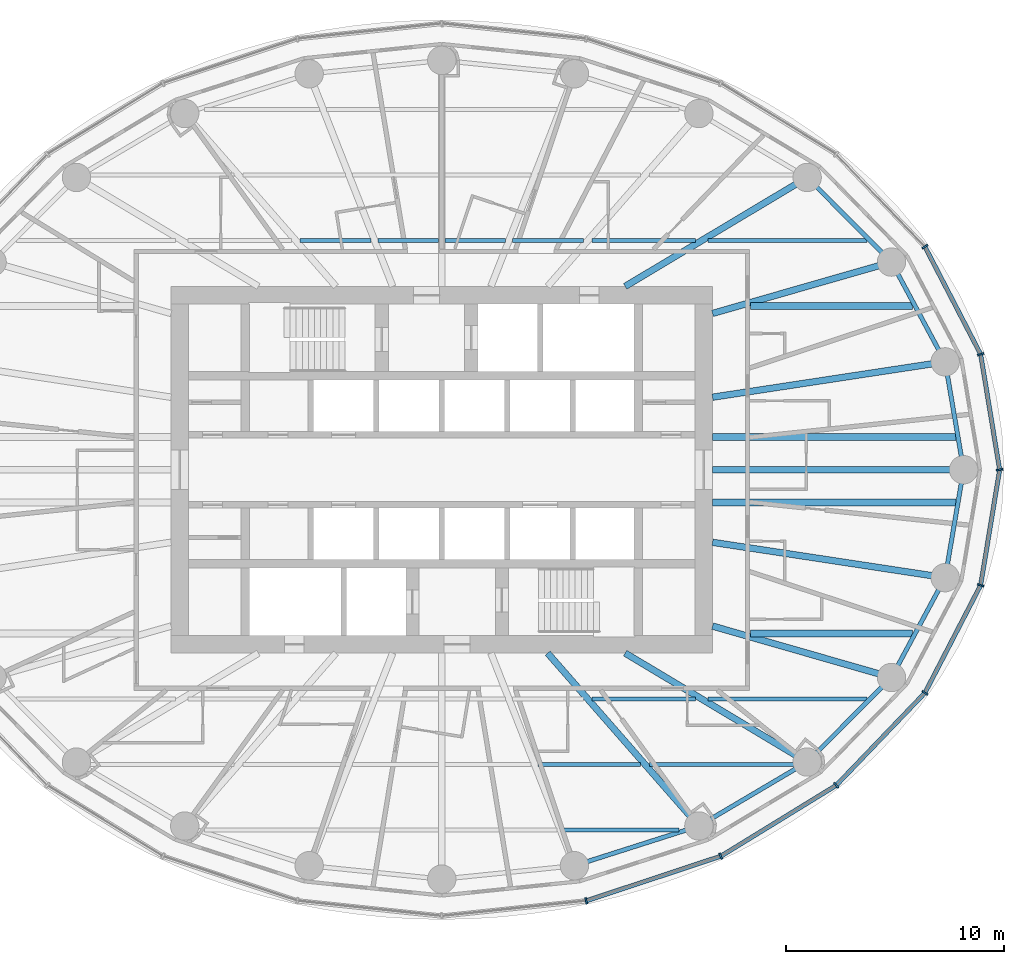
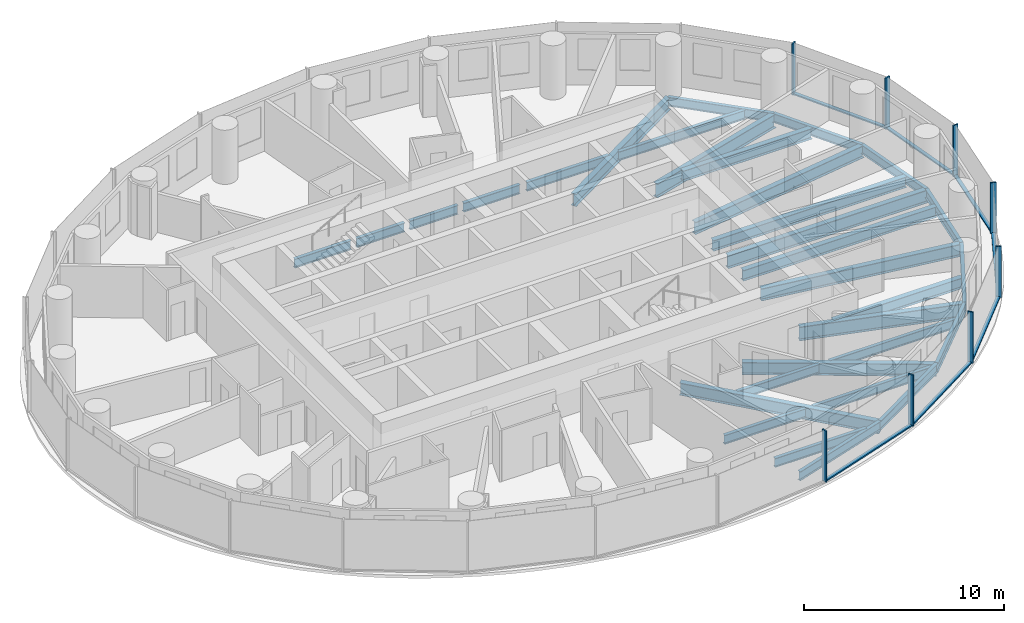
# One storey, part 3 of 13: 31 beams, 15 members, 2 elements without a shape of their own.
"""IFC4 building model written with IfcOpenShell, lengths in metres."""

from ifc_helpers import new_model, si_unit, direction, frame, origin, origin_2d, place, context, subcontext, project, spatial, rectangle, i_section, extrude, material, material_profile, profile_set, type_object, element, aggregate, save


model = new_model("IFC4")

# Units and contexts
model_context = context("Model", 3, precision=1e-05, world=origin(), true_north=direction((0.0, 1.0)))
body_context = subcontext(model_context, "Body", "Model", "MODEL_VIEW")
ifc_project = project(units=[si_unit("LENGTHUNIT", "METRE"), si_unit("AREAUNIT", "SQUARE_METRE"), si_unit("VOLUMEUNIT", "CUBIC_METRE"), si_unit("PLANEANGLEUNIT", "RADIAN"), si_unit("MASSUNIT", "GRAM", prefix="KILO")], contexts=[model_context])

# Site, building, storey
site_placement = place(None, origin())
site = spatial("IfcSite", under=ifc_project, at=site_placement, CompositionType="ELEMENT")
building_placement = place(site_placement, origin())
building = spatial("IfcBuilding", under=site, at=building_placement, Name="Hankou Lantern Tower", CompositionType="ELEMENT")
storey_placement = place(building_placement, frame((0.0, 0.0, 128.699951171875)))
storey = spatial("IfcBuildingStorey", under=building, at=storey_placement, Name="L33", CompositionType="ELEMENT", Elevation=128.699951171875)

# Beams
ifc_material_1 = material(Name="Steel Q355B", Category="steel")
ifc_material_profile_1 = material_profile(ifc_material_1, i_section(OverallWidth=0.199951171875, OverallDepth=0.550048828125, WebThickness=0.010009765625, FlangeThickness=0.01611328125, FilletRadius=0.012939453125, at=origin_2d()), Name="HN550x200x10x16")
ifc_profile_set_1 = profile_set([ifc_material_profile_1], Name="Steel Q355B")
beam_type_1 = type_object("IfcBeamType", Name="EB6 RING BEAM HN550x200x10x16", PredefinedType="SPANDREL", material=ifc_profile_set_1)
beam_1_placement = place(storey_placement, frame((23.89990234375, 0.0, -0.454833984375), z_axis=(-0.168527258545, 0.985696993567, 0.0), x_axis=(-0.985696993567, -0.168527258545, 0.0)))
element("IfcBeam", 1, at=beam_1_placement, inside=storey, type_object=beam_type_1, Name="Ring beam R01-R02 L33", PredefinedType="SPANDREL", context=body_context, shape_type="SweptSolid", body=[
    extrude(i_section(OverallWidth=0.199951171875, OverallDepth=0.550048828125, WebThickness=0.010009765625, FlangeThickness=0.01611328125, FilletRadius=0.012939453125, at=origin_2d()), origin(), (0.0, 0.0, 1.0), 5.013916015625),
])
beam_2_placement = place(storey_placement, frame((23.054931640625, 4.942138671875, -0.454833984375), z_axis=(-0.473824901673, 0.880619079145, 0.0), x_axis=(-0.880619079145, -0.473824901673, 0.0)))
element("IfcBeam", 2, at=beam_2_placement, inside=storey, type_object=beam_type_1, Name="Ring beam R02-R03 L33", PredefinedType="SPANDREL", context=body_context, shape_type="SweptSolid", body=[
    extrude(i_section(OverallWidth=0.199951171875, OverallDepth=0.550048828125, WebThickness=0.010009765625, FlangeThickness=0.01611328125, FilletRadius=0.012939453125, at=origin_2d()), origin(), (0.0, 0.0, 1.0), 5.190185546875),
])
beam_3_placement = place(storey_placement, frame((20.595703125, 9.5126953125, -0.454833984375), z_axis=(-0.705945468625, 0.708266189599, 0.0), x_axis=(-0.708266189599, -0.705945468625, 0.0)))
element("IfcBeam", 3, at=beam_3_placement, inside=storey, type_object=beam_type_1, Name="Ring beam R03-R04 L33", PredefinedType="SPANDREL", context=body_context, shape_type="SweptSolid", body=[
    extrude(i_section(OverallWidth=0.199951171875, OverallDepth=0.550048828125, WebThickness=0.010009765625, FlangeThickness=0.01611328125, FilletRadius=0.012939453125, at=origin_2d()), origin(), (0.0, 0.0, 1.0), 5.470458984375),
])
beam_4_placement = place(storey_placement, frame((6.073974609375, -18.134521484375, -0.454833984375), z_axis=(0.952731090451, 0.303814860215, 0.0), x_axis=(-0.303814860215, 0.952731090451, 0.0)))
element("IfcBeam", 4, at=beam_4_placement, inside=storey, type_object=beam_type_1, Name="Ring beam R20-R21 L33", PredefinedType="SPANDREL", context=body_context, shape_type="SweptSolid", body=[
    extrude(i_section(OverallWidth=0.199951171875, OverallDepth=0.550048828125, WebThickness=0.010009765625, FlangeThickness=0.01611328125, FilletRadius=0.012939453125, at=origin_2d()), origin(), (0.0, 0.0, 1.0), 5.984375),
])
beam_5_placement = place(storey_placement, frame((11.775390625, -16.31640625, -0.454833984375), z_axis=(0.860988974188, 0.508623619513, 0.0), x_axis=(-0.508623619513, 0.860988974188, 0.0)))
element("IfcBeam", 5, at=beam_5_placement, inside=storey, type_object=beam_type_1, Name="Ring beam R21-R22 L33", PredefinedType="SPANDREL", context=body_context, shape_type="SweptSolid", body=[
    extrude(i_section(OverallWidth=0.199951171875, OverallDepth=0.550048828125, WebThickness=0.010009765625, FlangeThickness=0.01611328125, FilletRadius=0.012939453125, at=origin_2d()), origin(), (0.0, 0.0, 1.0), 5.759033203125),
])
beam_6_placement = place(storey_placement, frame((16.73388671875, -13.38720703125, -0.454833984375), z_axis=(0.705945468625, 0.708266189599, 0.0), x_axis=(-0.708266189599, 0.705945468625, 0.0)))
element("IfcBeam", 6, at=beam_6_placement, inside=storey, type_object=beam_type_1, Name="Ring beam R22-R23 L33", PredefinedType="SPANDREL", context=body_context, shape_type="SweptSolid", body=[
    extrude(i_section(OverallWidth=0.199951171875, OverallDepth=0.550048828125, WebThickness=0.010009765625, FlangeThickness=0.01611328125, FilletRadius=0.012939453125, at=origin_2d()), origin(), (0.0, 0.0, 1.0), 5.470458984375),
])
beam_7_placement = place(storey_placement, frame((20.595703125, -9.5126953125, -0.454833984375), z_axis=(0.473824901673, 0.880619079145, 0.0), x_axis=(-0.880619079145, 0.473824901673, 0.0)))
element("IfcBeam", 7, at=beam_7_placement, inside=storey, type_object=beam_type_1, Name="Ring beam R23-R24 L33", PredefinedType="SPANDREL", context=body_context, shape_type="SweptSolid", body=[
    extrude(i_section(OverallWidth=0.199951171875, OverallDepth=0.550048828125, WebThickness=0.010009765625, FlangeThickness=0.01611328125, FilletRadius=0.012939453125, at=origin_2d()), origin(), (0.0, 0.0, 1.0), 5.190185546875),
])
beam_8_placement = place(storey_placement, frame((23.054931640625, -4.942138671875, -0.454833984375), z_axis=(0.168527258545, 0.985696993567, 0.0), x_axis=(-0.985696993567, 0.168527258545, 0.0)))
element("IfcBeam", 8, at=beam_8_placement, inside=storey, type_object=beam_type_1, Name="Ring beam R24-R01 L33", PredefinedType="SPANDREL", context=body_context, shape_type="SweptSolid", body=[
    extrude(i_section(OverallWidth=0.199951171875, OverallDepth=0.550048828125, WebThickness=0.010009765625, FlangeThickness=0.01611328125, FilletRadius=0.012939453125, at=origin_2d()), origin(), (0.0, 0.0, 1.0), 5.013916015625),
])

# Curtain wall, members
ifc_material_2 = material(Name="Glass, dark grey tinted laminated", Category="glass")
curtain_wall_type = type_object("IfcCurtainWallType", Name="CWB OUTER SKIN MID-RISE", PredefinedType="USERDEFINED", material=ifc_material_2)
curtain_wall_1_placement = place(storey_placement, origin())
curtain_wall_1 = element("IfcCurtainWall", 9, at=curtain_wall_1_placement, inside=storey, type_object=curtain_wall_type, Name="CWB L33 OS1", ObjectType="OUTER SKIN MID-RISE", PredefinedType="USERDEFINED")
ifc_material_3 = material(Name="Aluminium, black anodised", Category="aluminium")
ifc_material_profile_2 = material_profile(ifc_material_3, rectangle(XDim=0.080078125, YDim=0.300048828125, at=origin_2d()), Name="MU1 80X300")
ifc_profile_set_2 = profile_set([ifc_material_profile_2], Name="Aluminium, black anodised")
member_type_1 = type_object("IfcMemberType", Name="MU1 OUTER SKIN MULLION 80X300", PredefinedType="MULLION", material=ifc_profile_set_2)
member_1_placement = place(storey_placement, frame((25.550048828125, 0.0, 0.0), z_axis=(0.0, 0.0, 1.0), x_axis=(-0.162381515188, 0.986728049427, 0.0)))
member_1 = element("IfcMember", 10, at=member_1_placement, type_object=member_type_1, Name="CWB mullion 1", PredefinedType="MULLION", context=body_context, shape_type="SweptSolid", body=[
    extrude(rectangle(XDim=0.080078125, YDim=0.300048828125, at=origin_2d()), origin(), (0.0, 0.0, 1.0), 3.1201171875),
])
member_2_placement = place(storey_placement, frame((24.679443359375, 5.290283203125, 0.0), z_axis=(0.0, 0.0, 1.0), x_axis=(-0.317595577365, 0.94822626479, 0.0)))
member_2 = element("IfcMember", 11, at=member_2_placement, type_object=member_type_1, Name="CWB mullion 2", PredefinedType="MULLION", context=body_context, shape_type="SweptSolid", body=[
    extrude(rectangle(XDim=0.080078125, YDim=0.300048828125, at=origin_2d()), origin(), (0.0, 0.0, 1.0), 3.1201171875),
])
member_3_placement = place(storey_placement, frame((22.126953125, 10.219970703125, 0.0), z_axis=(0.0, 0.0, 1.0), x_axis=(-0.585205735974, 0.810884854084, 0.0)))
member_3 = element("IfcMember", 12, at=member_3_placement, type_object=member_type_1, Name="CWB mullion 3", PredefinedType="MULLION", context=body_context, shape_type="SweptSolid", body=[
    extrude(rectangle(XDim=0.080078125, YDim=0.300048828125, at=origin_2d()), origin(), (0.0, 0.0, 1.0), 3.1201171875),
])

curtain_wall_2_placement = place(storey_placement, origin())
curtain_wall_2 = element("IfcCurtainWall", 13, at=curtain_wall_2_placement, inside=storey, type_object=curtain_wall_type, Name="CWB L33 OS4", ObjectType="OUTER SKIN MID-RISE", PredefinedType="USERDEFINED")
member_4_placement = place(storey_placement, frame((6.61279296875, -19.743408203125, 0.0), z_axis=(0.0, 0.0, 1.0), x_axis=(0.977787659625, 0.209597931016, 0.0)))
member_4 = element("IfcMember", 14, at=member_4_placement, type_object=member_type_1, Name="CWB mullion 2", PredefinedType="MULLION", context=body_context, shape_type="SweptSolid", body=[
    extrude(rectangle(XDim=0.080078125, YDim=0.300048828125, at=origin_2d()), origin(), (0.0, 0.0, 1.0), 3.1201171875),
])
member_5_placement = place(storey_placement, frame((12.77490234375, -17.70166015625, 0.0), z_axis=(0.0, 0.0, 1.0), x_axis=(0.907841299004, 0.419313934686, 0.0)))
member_5 = element("IfcMember", 15, at=member_5_placement, type_object=member_type_1, Name="CWB mullion 3", PredefinedType="MULLION", context=body_context, shape_type="SweptSolid", body=[
    extrude(rectangle(XDim=0.080078125, YDim=0.300048828125, at=origin_2d()), origin(), (0.0, 0.0, 1.0), 3.1201171875),
])
member_6_placement = place(storey_placement, frame((18.066650390625, -14.453369140625, 0.0), z_axis=(0.0, 0.0, 1.0), x_axis=(0.780868809444, 0.624695047553, 0.0)))
member_6 = element("IfcMember", 16, at=member_6_placement, type_object=member_type_1, Name="CWB mullion 4", PredefinedType="MULLION", context=body_context, shape_type="SweptSolid", body=[
    extrude(rectangle(XDim=0.080078125, YDim=0.300048828125, at=origin_2d()), origin(), (0.0, 0.0, 1.0), 3.1201171875),
])
member_7_placement = place(storey_placement, frame((22.126953125, -10.219970703125, 0.0), z_axis=(0.0, 0.0, 1.0), x_axis=(0.585205735974, 0.810884854084, 0.0)))
member_7 = element("IfcMember", 17, at=member_7_placement, type_object=member_type_1, Name="CWB mullion 5", PredefinedType="MULLION", context=body_context, shape_type="SweptSolid", body=[
    extrude(rectangle(XDim=0.080078125, YDim=0.300048828125, at=origin_2d()), origin(), (0.0, 0.0, 1.0), 3.1201171875),
])
member_8_placement = place(storey_placement, frame((24.679443359375, -5.290283203125, 0.0), z_axis=(0.0, 0.0, 1.0), x_axis=(0.317595577365, 0.94822626479, 0.0)))
member_8 = element("IfcMember", 18, at=member_8_placement, type_object=member_type_1, Name="CWB mullion 6", PredefinedType="MULLION", context=body_context, shape_type="SweptSolid", body=[
    extrude(rectangle(XDim=0.080078125, YDim=0.300048828125, at=origin_2d()), origin(), (0.0, 0.0, 1.0), 3.1201171875),
])

# Beams
ifc_material_4 = material(Name="Steel Q355B", Category="steel")
ifc_material_profile_3 = material_profile(ifc_material_4, i_section(OverallWidth=0.300048828125, OverallDepth=0.75, WebThickness=0.012939453125, FlangeThickness=0.02392578125, FilletRadius=0.01806640625, at=origin_2d()), Name="HN750x300x13x24")
ifc_profile_set_3 = profile_set([ifc_material_profile_3], Name="Steel Q355B")
beam_type_2 = type_object("IfcBeamType", Name="RB10 RADIAL BEAM HN750x300x13x24", PredefinedType="BEAM", material=ifc_profile_set_3)
beam_9_placement = place(storey_placement, frame((12.39990234375, 3.322509765625, -0.554931640625), z_axis=(0.988643506875, 0.150279793429, 0.0), x_axis=(-0.150279793429, 0.988643506875, 0.0)))
element("IfcBeam", 19, at=beam_9_placement, inside=storey, type_object=beam_type_2, Name="Radial beam R02 L33", PredefinedType="BEAM", context=body_context, shape_type="SweptSolid", body=[
    extrude(i_section(OverallWidth=0.300048828125, OverallDepth=0.75, WebThickness=0.012939453125, FlangeThickness=0.02392578125, FilletRadius=0.01806640625, at=origin_2d()), origin(), (0.0, 0.0, 1.0), 10.77734375),
])
beam_10_placement = place(storey_placement, frame((8.39990234375, 8.39990234375, -0.554931640625), z_axis=(0.858086776551, 0.513504706802, 0.0), x_axis=(-0.513504706802, 0.858086776551, 0.0)))
element("IfcBeam", 20, at=beam_10_placement, inside=storey, type_object=beam_type_2, Name="Radial beam R04 L33", PredefinedType="BEAM", context=body_context, shape_type="SweptSolid", body=[
    extrude(i_section(OverallWidth=0.300048828125, OverallDepth=0.75, WebThickness=0.012939453125, FlangeThickness=0.02392578125, FilletRadius=0.01806640625, at=origin_2d()), origin(), (0.0, 0.0, 1.0), 9.71240234375),
])
beam_11_placement = place(storey_placement, frame((4.849853515625, -8.39990234375, -0.554931640625), z_axis=(0.658429014446, -0.752642832249, 0.0), x_axis=(0.752642832249, 0.658429014446, 0.0)))
element("IfcBeam", 21, at=beam_11_placement, inside=storey, type_object=beam_type_2, Name="Radial beam R21 L33", PredefinedType="BEAM", context=body_context, shape_type="SweptSolid", body=[
    extrude(i_section(OverallWidth=0.300048828125, OverallDepth=0.75, WebThickness=0.012939453125, FlangeThickness=0.02392578125, FilletRadius=0.01806640625, at=origin_2d()), origin(), (0.0, 0.0, 1.0), 10.518310546875),
])
beam_12_placement = place(storey_placement, frame((8.39990234375, -8.39990234375, -0.554931640625), z_axis=(0.858086776551, -0.513504706802, 0.0), x_axis=(0.513504706802, 0.858086776551, 0.0)))
element("IfcBeam", 22, at=beam_12_placement, inside=storey, type_object=beam_type_2, Name="Radial beam R22 L33", PredefinedType="BEAM", context=body_context, shape_type="SweptSolid", body=[
    extrude(i_section(OverallWidth=0.300048828125, OverallDepth=0.75, WebThickness=0.012939453125, FlangeThickness=0.02392578125, FilletRadius=0.01806640625, at=origin_2d()), origin(), (0.0, 0.0, 1.0), 9.71240234375),
])
beam_13_placement = place(storey_placement, frame((12.39990234375, -3.322509765625, -0.554931640625), z_axis=(0.988643506875, -0.150279793429, 0.0), x_axis=(0.150279793429, 0.988643506875, 0.0)))
element("IfcBeam", 23, at=beam_13_placement, inside=storey, type_object=beam_type_2, Name="Radial beam R24 L33", PredefinedType="BEAM", context=body_context, shape_type="SweptSolid", body=[
    extrude(i_section(OverallWidth=0.300048828125, OverallDepth=0.75, WebThickness=0.012939453125, FlangeThickness=0.02392578125, FilletRadius=0.01806640625, at=origin_2d()), origin(), (0.0, 0.0, 1.0), 10.77734375),
])
ifc_material_5 = material(Name="Steel Q355B", Category="steel")
ifc_material_profile_4 = material_profile(ifc_material_5, i_section(OverallWidth=0.300048828125, OverallDepth=0.800048828125, WebThickness=0.013916015625, FlangeThickness=0.02587890625, FilletRadius=0.01806640625, at=origin_2d()), Name="HN800x300x14x26")
ifc_profile_set_4 = profile_set([ifc_material_profile_4], Name="Steel Q355B")
beam_type_3 = type_object("IfcBeamType", Name="RB11 RADIAL BEAM HN800x300x14x26", PredefinedType="BEAM", material=ifc_profile_set_4)
beam_14_placement = place(storey_placement, frame((12.39990234375, 0.0, -0.579833984375), z_axis=(1.0, 0.0, 0.0), x_axis=(0.0, 1.0, 0.0)))
element("IfcBeam", 24, at=beam_14_placement, inside=storey, type_object=beam_type_3, Name="Radial beam R01 L33", PredefinedType="BEAM", context=body_context, shape_type="SweptSolid", body=[
    extrude(i_section(OverallWidth=0.300048828125, OverallDepth=0.800048828125, WebThickness=0.013916015625, FlangeThickness=0.02587890625, FilletRadius=0.01806640625, at=origin_2d()), origin(), (0.0, 0.0, 1.0), 11.5),
])
ifc_material_6 = material(Name="Steel Q355B", Category="steel")
ifc_material_profile_5 = material_profile(ifc_material_6, i_section(OverallWidth=0.300048828125, OverallDepth=0.85009765625, WebThickness=0.01611328125, FlangeThickness=0.027099609375, FilletRadius=0.01806640625, at=origin_2d()), Name="HN850x300x16x27")
ifc_profile_set_5 = profile_set([ifc_material_profile_5], Name="Steel Q355B")
beam_type_4 = type_object("IfcBeamType", Name="RB12 RADIAL BEAM HN850x300x16x27", PredefinedType="BEAM", material=ifc_profile_set_5)
for number, where, z_axis, x_axis, name in (
    (25, (12.39990234375, 7.1591796875, -0.60498046875), (0.961155741911, 0.276006593745, 0.0), (-0.276006593745, 0.961155741911, 0.0), "Radial beam R03 L33"),
    (26, (12.39990234375, -7.1591796875, -0.60498046875), (0.961155741911, -0.276006593745, 0.0), (0.276006593745, 0.961155741911, 0.0), "Radial beam R23 L33"),
):
    element("IfcBeam", number, at=place(storey_placement, frame(where, z_axis=z_axis, x_axis=x_axis)), inside=storey, type_object=beam_type_4, Name=name, PredefinedType="BEAM", context=body_context, shape_type="SweptSolid", body=[
        extrude(i_section(OverallWidth=0.300048828125, OverallDepth=0.85009765625, WebThickness=0.01611328125, FlangeThickness=0.027099609375, FilletRadius=0.01806640625, at=origin_2d()), origin(), (0.0, 0.0, 1.0), 8.527099609375),
    ])
ifc_material_7 = material(Name="Steel Q355B", Category="steel")
ifc_material_profile_6 = material_profile(ifc_material_7, i_section(OverallWidth=0.199951171875, OverallDepth=0.550048828125, WebThickness=0.010009765625, FlangeThickness=0.01611328125, FilletRadius=0.012939453125, at=origin_2d()), Name="HN550x200x10x16")
ifc_profile_set_6 = profile_set([ifc_material_profile_6], Name="Steel Q355B")
beam_type_5 = type_object("IfcBeamType", Name="SB6 SECONDARY BEAM HN550x200x10x16", PredefinedType="JOIST", material=ifc_profile_set_6)
beam_15_placement = place(storey_placement, frame((5.59326171875, -16.5, -0.454833984375), z_axis=(1.0, 0.0, 0.0), x_axis=(0.0, 1.0, 0.0)))
element("IfcBeam", 27, at=beam_15_placement, inside=storey, type_object=beam_type_5, Name="Floor joist J004 L33", PredefinedType="JOIST", context=body_context, shape_type="SweptSolid", body=[
    extrude(i_section(OverallWidth=0.199951171875, OverallDepth=0.550048828125, WebThickness=0.010009765625, FlangeThickness=0.01611328125, FilletRadius=0.012939453125, at=origin_2d()), origin(), (0.0, 0.0, 1.0), 5.27685546875),
])
beam_16_placement = place(storey_placement, frame((4.4150390625, -13.5, -0.454833984375), z_axis=(1.0, 0.0, 0.0), x_axis=(0.0, 1.0, 0.0)))
element("IfcBeam", 28, at=beam_16_placement, inside=storey, type_object=beam_type_5, Name="Floor joist J009 L33", PredefinedType="JOIST", context=body_context, shape_type="SweptSolid", body=[
    extrude(i_section(OverallWidth=0.199951171875, OverallDepth=0.550048828125, WebThickness=0.010009765625, FlangeThickness=0.01611328125, FilletRadius=0.012939453125, at=origin_2d()), origin(), (0.0, 0.0, 1.0), 4.697021484375),
])
beam_17_placement = place(storey_placement, frame((9.5107421875, -13.5, -0.454833984375), z_axis=(1.0, 0.0, 0.0), x_axis=(0.0, 1.0, 0.0)))
element("IfcBeam", 29, at=beam_17_placement, inside=storey, type_object=beam_type_5, Name="Floor joist J010 L33", PredefinedType="JOIST", context=body_context, shape_type="SweptSolid", body=[
    extrude(i_section(OverallWidth=0.199951171875, OverallDepth=0.550048828125, WebThickness=0.010009765625, FlangeThickness=0.01611328125, FilletRadius=0.012939453125, at=origin_2d()), origin(), (0.0, 0.0, 1.0), 6.83544921875),
])
beam_18_placement = place(storey_placement, frame((6.88623046875, -10.5, -0.454833984375), z_axis=(1.0, 0.0, 0.0), x_axis=(0.0, 1.0, 0.0)))
element("IfcBeam", 30, at=beam_18_placement, inside=storey, type_object=beam_type_5, Name="Floor joist J017 L33", PredefinedType="JOIST", context=body_context, shape_type="SweptSolid", body=[
    extrude(i_section(OverallWidth=0.199951171875, OverallDepth=0.550048828125, WebThickness=0.010009765625, FlangeThickness=0.01611328125, FilletRadius=0.012939453125, at=origin_2d()), origin(), (0.0, 0.0, 1.0), 4.73095703125),
])
beam_19_placement = place(storey_placement, frame((12.201416015625, -10.5, -0.454833984375), z_axis=(1.0, 0.0, 0.0), x_axis=(0.0, 1.0, 0.0)))
element("IfcBeam", 31, at=beam_19_placement, inside=storey, type_object=beam_type_5, Name="Floor joist J018 L33", PredefinedType="JOIST", context=body_context, shape_type="SweptSolid", body=[
    extrude(i_section(OverallWidth=0.199951171875, OverallDepth=0.550048828125, WebThickness=0.010009765625, FlangeThickness=0.01611328125, FilletRadius=0.012939453125, at=origin_2d()), origin(), (0.0, 0.0, 1.0), 7.26904296875),
])
beam_20_placement = place(storey_placement, frame((-6.487548828125, 10.5, -0.454833984375), z_axis=(1.0, 0.0, 0.0), x_axis=(0.0, 1.0, 0.0)))
element("IfcBeam", 32, at=beam_20_placement, inside=storey, type_object=beam_type_5, Name="Floor joist J037 L33", PredefinedType="JOIST", context=body_context, shape_type="SweptSolid", body=[
    extrude(i_section(OverallWidth=0.199951171875, OverallDepth=0.550048828125, WebThickness=0.010009765625, FlangeThickness=0.01611328125, FilletRadius=0.012939453125, at=origin_2d()), origin(), (0.0, 0.0, 1.0), 3.2509765625),
])
for number, where, z_axis, x_axis, name in (
    (33, (-2.914306640625, 10.5, -0.454833984375), (1.0, 0.0, 0.0), (0.0, 1.0, 0.0), "Floor joist J038 L33"),
    (34, (0.14990234375, 10.5, -0.454833984375), (1.0, 0.0, 0.0), (0.0, 1.0, 0.0), "Floor joist J039 L33"),
):
    element("IfcBeam", number, at=place(storey_placement, frame(where, z_axis=z_axis, x_axis=x_axis)), inside=storey, type_object=beam_type_5, Name=name, PredefinedType="JOIST", context=body_context, shape_type="SweptSolid", body=[
        extrude(i_section(OverallWidth=0.199951171875, OverallDepth=0.550048828125, WebThickness=0.010009765625, FlangeThickness=0.01611328125, FilletRadius=0.012939453125, at=origin_2d()), origin(), (0.0, 0.0, 1.0), 2.764404296875),
    ])
beam_21_placement = place(storey_placement, frame((3.236572265625, 10.5, -0.454833984375), z_axis=(1.0, 0.0, 0.0), x_axis=(0.0, 1.0, 0.0)))
element("IfcBeam", 35, at=beam_21_placement, inside=storey, type_object=beam_type_5, Name="Floor joist J040 L33", PredefinedType="JOIST", context=body_context, shape_type="SweptSolid", body=[
    extrude(i_section(OverallWidth=0.199951171875, OverallDepth=0.550048828125, WebThickness=0.010009765625, FlangeThickness=0.01611328125, FilletRadius=0.012939453125, at=origin_2d()), origin(), (0.0, 0.0, 1.0), 3.2509765625),
])
beam_22_placement = place(storey_placement, frame((6.88623046875, 10.5, -0.454833984375), z_axis=(1.0, 0.0, 0.0), x_axis=(0.0, 1.0, 0.0)))
element("IfcBeam", 36, at=beam_22_placement, inside=storey, type_object=beam_type_5, Name="Floor joist J041 L33", PredefinedType="JOIST", context=body_context, shape_type="SweptSolid", body=[
    extrude(i_section(OverallWidth=0.199951171875, OverallDepth=0.550048828125, WebThickness=0.010009765625, FlangeThickness=0.01611328125, FilletRadius=0.012939453125, at=origin_2d()), origin(), (0.0, 0.0, 1.0), 4.73095703125),
])
beam_23_placement = place(storey_placement, frame((12.201416015625, 10.5, -0.454833984375), z_axis=(1.0, 0.0, 0.0), x_axis=(0.0, 1.0, 0.0)))
element("IfcBeam", 37, at=beam_23_placement, inside=storey, type_object=beam_type_5, Name="Floor joist J042 L33", PredefinedType="JOIST", context=body_context, shape_type="SweptSolid", body=[
    extrude(i_section(OverallWidth=0.199951171875, OverallDepth=0.550048828125, WebThickness=0.010009765625, FlangeThickness=0.01611328125, FilletRadius=0.012939453125, at=origin_2d()), origin(), (0.0, 0.0, 1.0), 7.26904296875),
])
ifc_material_8 = material(Name="Steel Q355B", Category="steel")
ifc_material_profile_7 = material_profile(ifc_material_8, i_section(OverallWidth=0.300048828125, OverallDepth=0.64990234375, WebThickness=0.010986328125, FlangeThickness=0.01708984375, FilletRadius=0.01806640625, at=origin_2d()), Name="HN650x300x11x17")
ifc_profile_set_7 = profile_set([ifc_material_profile_7], Name="Steel Q355B")
beam_type_6 = type_object("IfcBeamType", Name="SB8 SECONDARY BEAM HN650x300x11x17", PredefinedType="JOIST", material=ifc_profile_set_7)
beam_24_placement = place(storey_placement, frame((14.13037109375, -7.5, -0.5048828125), z_axis=(1.0, 0.0, 0.0), x_axis=(0.0, 1.0, 0.0)))
element("IfcBeam", 38, at=beam_24_placement, inside=storey, type_object=beam_type_6, Name="Floor joist J020 L33", PredefinedType="JOIST", context=body_context, shape_type="SweptSolid", body=[
    extrude(i_section(OverallWidth=0.300048828125, OverallDepth=0.64990234375, WebThickness=0.010986328125, FlangeThickness=0.01708984375, FilletRadius=0.01806640625, at=origin_2d()), origin(), (0.0, 0.0, 1.0), 7.4345703125),
])
for number, where, z_axis, x_axis, name in (
    (39, (12.39990234375, -1.5, -0.5048828125), (1.0, 0.0, 0.0), (0.0, 1.0, 0.0), "Floor joist J026 L33"),
    (40, (12.39990234375, 1.5, -0.5048828125), (1.0, 0.0, 0.0), (0.0, 1.0, 0.0), "Floor joist J028 L33"),
):
    element("IfcBeam", number, at=place(storey_placement, frame(where, z_axis=z_axis, x_axis=x_axis)), inside=storey, type_object=beam_type_6, Name=name, PredefinedType="JOIST", context=body_context, shape_type="SweptSolid", body=[
        extrude(i_section(OverallWidth=0.300048828125, OverallDepth=0.64990234375, WebThickness=0.010986328125, FlangeThickness=0.01708984375, FilletRadius=0.01806640625, at=origin_2d()), origin(), (0.0, 0.0, 1.0), 11.14208984375),
    ])
beam_25_placement = place(storey_placement, frame((14.13037109375, 7.5, -0.5048828125), z_axis=(1.0, 0.0, 0.0), x_axis=(0.0, 1.0, 0.0)))
element("IfcBeam", 41, at=beam_25_placement, inside=storey, type_object=beam_type_6, Name="Floor joist J034 L33", PredefinedType="JOIST", context=body_context, shape_type="SweptSolid", body=[
    extrude(i_section(OverallWidth=0.300048828125, OverallDepth=0.64990234375, WebThickness=0.010986328125, FlangeThickness=0.01708984375, FilletRadius=0.01806640625, at=origin_2d()), origin(), (0.0, 0.0, 1.0), 7.4345703125),
])

# Member
ifc_material_9 = material(Name="Aluminium, black anodised", Category="aluminium")
ifc_material_profile_8 = material_profile(ifc_material_9, rectangle(XDim=0.199951171875, YDim=0.080078125, at=origin_2d()), Name="TR1 200X80")
ifc_profile_set_8 = profile_set([ifc_material_profile_8], Name="Aluminium, black anodised")
member_type_2 = type_object("IfcMemberType", Name="TR1 OUTER SKIN TRANSOM 200X80", PredefinedType="USERDEFINED", material=ifc_profile_set_8)
member_9_placement = place(storey_placement, frame((25.54345703125, 0.03955078125, 0.0400390625), z_axis=(-0.162397124076, 0.986725480614, 0.0), x_axis=(-0.986725480614, -0.162397124076, 0.0)))
member_9 = element("IfcMember", 42, at=member_9_placement, type_object=member_type_2, Name="CWB transom 1", ObjectType="TRANSOM", PredefinedType="USERDEFINED", context=body_context, shape_type="SweptSolid", body=[
    extrude(rectangle(XDim=0.199951171875, YDim=0.080078125, at=origin_2d()), origin(), (0.0, 0.0, 1.0), 5.28125),
])

member_10_placement = place(storey_placement, frame((24.6611328125, 5.32568359375, 0.0400390625), z_axis=(-0.459805240543, 0.888019786249, 0.0), x_axis=(-0.888019786249, -0.459805240543, 0.0)))
member_10 = element("IfcMember", 43, at=member_10_placement, type_object=member_type_2, Name="CWB transom 2", ObjectType="TRANSOM", PredefinedType="USERDEFINED", context=body_context, shape_type="SweptSolid", body=[
    extrude(rectangle(XDim=0.199951171875, YDim=0.080078125, at=origin_2d()), origin(), (0.0, 0.0, 1.0), 5.4716796875),
])

aggregate(curtain_wall_1, [member_1, member_2, member_3, member_9, member_10])

member_11_placement = place(storey_placement, frame((6.65087890625, -19.73095703125, 0.0400390625), z_axis=(0.949237765745, 0.314559476225, 0.0), x_axis=(-0.314559476225, 0.949237765745, 0.0)))
member_11 = element("IfcMember", 44, at=member_11_placement, type_object=member_type_2, Name="CWB transom 2", ObjectType="TRANSOM", PredefinedType="USERDEFINED", context=body_context, shape_type="SweptSolid", body=[
    extrude(rectangle(XDim=0.199951171875, YDim=0.080078125, at=origin_2d()), origin(), (0.0, 0.0, 1.0), 6.41162109375),
])

member_12_placement = place(storey_placement, frame((12.80908203125, -17.6806640625, 0.0400390625), z_axis=(0.852229492169, 0.523168130411, 0.0), x_axis=(-0.523168130411, 0.852229492169, 0.0)))
member_12 = element("IfcMember", 45, at=member_12_placement, type_object=member_type_2, Name="CWB transom 3", ObjectType="TRANSOM", PredefinedType="USERDEFINED", context=body_context, shape_type="SweptSolid", body=[
    extrude(rectangle(XDim=0.199951171875, YDim=0.080078125, at=origin_2d()), origin(), (0.0, 0.0, 1.0), 6.129150390625),
])

member_13_placement = place(storey_placement, frame((18.09423828125, -14.42431640625, 0.0400390625), z_axis=(0.692226977748, 0.721679853729, 0.0), x_axis=(-0.721679853729, 0.692226977748, 0.0)))
member_13 = element("IfcMember", 46, at=member_13_placement, type_object=member_type_2, Name="CWB transom 4", ObjectType="TRANSOM", PredefinedType="USERDEFINED", context=body_context, shape_type="SweptSolid", body=[
    extrude(rectangle(XDim=0.199951171875, YDim=0.080078125, at=origin_2d()), origin(), (0.0, 0.0, 1.0), 5.785888671875),
])

member_14_placement = place(storey_placement, frame((22.145263671875, -10.1845703125, 0.0400390625), z_axis=(0.459805240543, 0.888019786249, 0.0), x_axis=(-0.888019786249, 0.459805240543, 0.0)))
member_14 = element("IfcMember", 47, at=member_14_placement, type_object=member_type_2, Name="CWB transom 5", ObjectType="TRANSOM", PredefinedType="USERDEFINED", context=body_context, shape_type="SweptSolid", body=[
    extrude(rectangle(XDim=0.199951171875, YDim=0.080078125, at=origin_2d()), origin(), (0.0, 0.0, 1.0), 5.4716796875),
])

member_15_placement = place(storey_placement, frame((24.685791015625, -5.250732421875, 0.0400390625), z_axis=(0.162397124076, 0.986725480614, 0.0), x_axis=(-0.986725480614, 0.162397124076, 0.0)))
member_15 = element("IfcMember", 48, at=member_15_placement, type_object=member_type_2, Name="CWB transom 6", ObjectType="TRANSOM", PredefinedType="USERDEFINED", context=body_context, shape_type="SweptSolid", body=[
    extrude(rectangle(XDim=0.199951171875, YDim=0.080078125, at=origin_2d()), origin(), (0.0, 0.0, 1.0), 5.28125),
])

aggregate(curtain_wall_2, [member_4, member_5, member_6, member_7, member_8, member_11, member_12, member_13, member_14, member_15])

save(model, "model.ifc")
